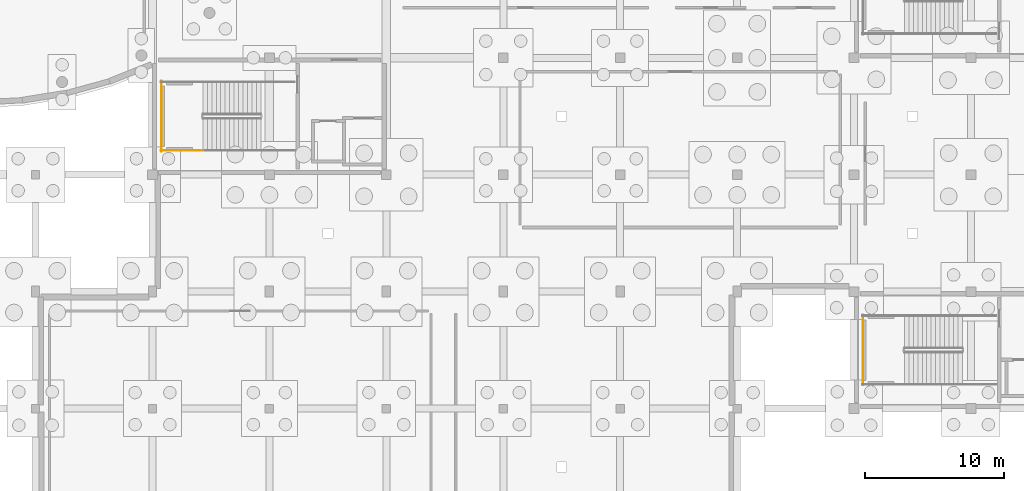
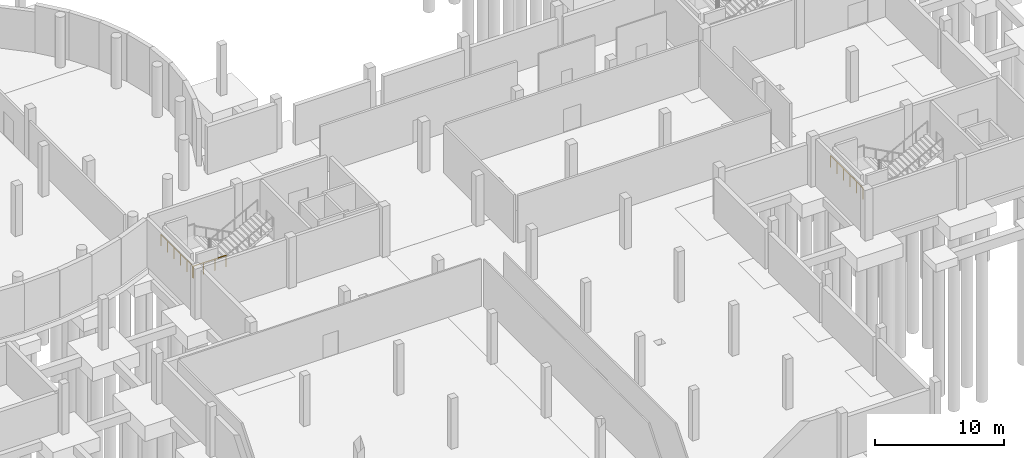
# One storey, part 20 of 24: 3 railings.
"""IFC4 building model written with IfcOpenShell, lengths in metres."""

from ifc_helpers import new_model, si_unit, derived_unit, direction, frame, origin, origin_2d, place, context, subcontext, project, spatial, circle, extrude, material, type_object, element, save


model = new_model("IFC4")

# Units and contexts
model_context = context("Model", 3, precision=1e-05, world=origin(), true_north=direction((0.0, 1.0)))
body_context = subcontext(model_context, "Body", "Model", "MODEL_VIEW")
ifc_project = project(units=[si_unit("LENGTHUNIT", "METRE"), si_unit("AREAUNIT", "SQUARE_METRE"), si_unit("VOLUMEUNIT", "CUBIC_METRE"), si_unit("PLANEANGLEUNIT", "RADIAN"), si_unit("MASSUNIT", "GRAM", prefix="KILO"), derived_unit("THERMALTRANSMITTANCEUNIT", [(si_unit("POWERUNIT", "WATT"), 1), (si_unit("LENGTHUNIT", "METRE"), -2), (si_unit("THERMODYNAMICTEMPERATUREUNIT", "KELVIN"), -1)])], contexts=[model_context])

# Site, building, storey
site_placement = place(None, origin())
site = spatial("IfcSite", under=ifc_project, at=site_placement, CompositionType="ELEMENT")
building_placement = place(site_placement, origin())
building = spatial("IfcBuilding", under=site, at=building_placement, Name="Elbkamm Science Centre", CompositionType="ELEMENT")
storey_placement = place(building_placement, frame((0.0, 0.0, -4.800048828125)))
storey = spatial("IfcBuildingStorey", under=building, at=storey_placement, Name="B01", CompositionType="ELEMENT", Elevation=-4.800048828125)

# Railings
ifc_material = material(Name="Stainless steel EN 1.4401", Category="steel")
railing_type = type_object("IfcRailingType", Name="RAIL-GUARD-1100", PredefinedType="GUARDRAIL", material=ifc_material)
railing_placement = place(storey_placement, frame((79.219970703125, 43.72998046875, 2.400146484375)))
element("IfcRailing", 1, at=railing_placement, inside=storey, type_object=railing_type, Name="B01 ST-C2 stair guard 4", PredefinedType="GUARDRAIL", context=body_context, shape_type="SweptSolid", body=[
    extrude(circle(Radius=0.02392578125, at=origin_2d()), frame((0.0, 0.0, 1.078125), z_axis=(-1.0, 0.0, 0.0), x_axis=(0.0, -1.0, 0.0)), (0.0, 0.0, 1.0), 3.02001953125),
    extrude(circle(Radius=0.02001953125, at=origin_2d()), origin(), (0.0, 0.0, 1.0), 1.048095703125),
    extrude(circle(Radius=0.02001953125, at=origin_2d()), frame((-1.006591796875, 0.0, 0.0)), (0.0, 0.0, 1.0), 1.048095703125),
    extrude(circle(Radius=0.02001953125, at=origin_2d()), frame((-2.013427734375, 0.0, 0.0)), (0.0, 0.0, 1.0), 1.048095703125),
    extrude(circle(Radius=0.02001953125, at=origin_2d()), frame((-3.02001953125, 0.0, 0.0)), (0.0, 0.0, 1.0), 1.048095703125),
])
for number, where, name in (
    (2, (76.25, 48.719970703125, 2.400146484375), "B01 ST-C2 stair guard 5"),
    (3, (126.64990234375, 31.919921875, 2.400146484375), "B01 ST-C4 stair guard 5"),
):
    element("IfcRailing", number, at=place(storey_placement, frame(where)), inside=storey, type_object=railing_type, Name=name, PredefinedType="GUARDRAIL", context=body_context, shape_type="SweptSolid", body=[
        extrude(circle(Radius=0.02392578125, at=origin_2d()), frame((0.0, 0.0, 1.078125), z_axis=(0.0, -1.0, 0.0), x_axis=(1.0, 0.0, 0.0)), (0.0, 0.0, 1.0), 5.0400390625),
        extrude(circle(Radius=0.02001953125, at=origin_2d()), origin(), (0.0, 0.0, 1.0), 1.048095703125),
        extrude(circle(Radius=0.02001953125, at=origin_2d()), frame((0.0, -1.008056640625, 0.0)), (0.0, 0.0, 1.0), 1.048095703125),
        extrude(circle(Radius=0.02001953125, at=origin_2d()), frame((0.0, -2.01611328125, 0.0)), (0.0, 0.0, 1.0), 1.048095703125),
        extrude(circle(Radius=0.02001953125, at=origin_2d()), frame((0.0, -3.02392578125, 0.0)), (0.0, 0.0, 1.0), 1.048095703125),
        extrude(circle(Radius=0.02001953125, at=origin_2d()), frame((0.0, -4.031982421875, 0.0)), (0.0, 0.0, 1.0), 1.048095703125),
        extrude(circle(Radius=0.02001953125, at=origin_2d()), frame((0.0, -5.0400390625, 0.0)), (0.0, 0.0, 1.0), 1.048095703125),
    ])

save(model, "model.ifc")
